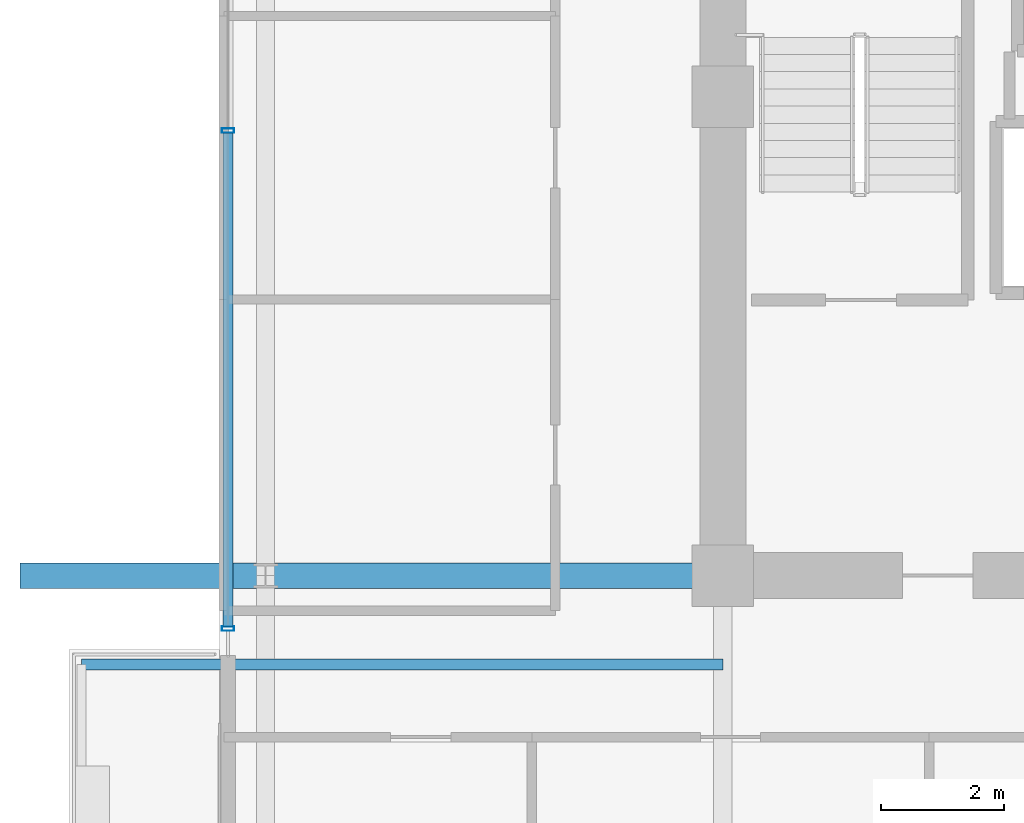
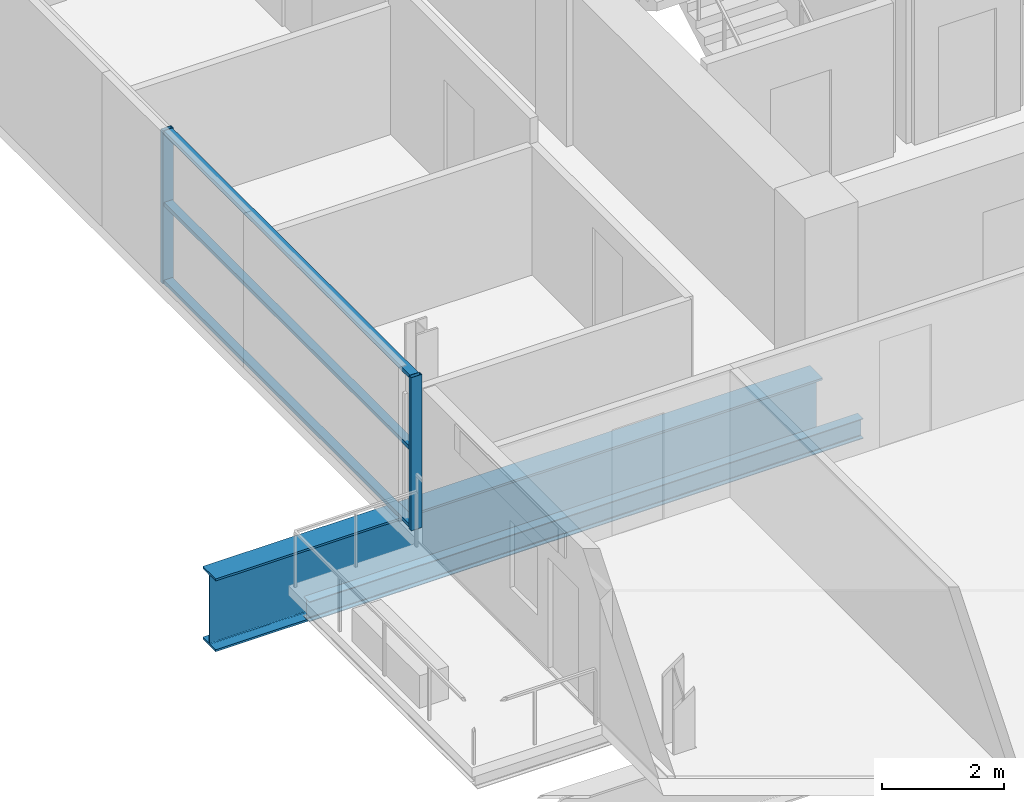
# One storey, part 5 of 23: 5 members, 2 beams, 1 element without a shape of its own.
"""IFC4 building model written with IfcOpenShell, lengths in metres."""

from ifc_helpers import new_model, si_unit, direction, frame, origin, origin_2d, place, context, subcontext, project, spatial, hollow_rectangle, i_section, extrude, source, transform, mapped, material, layer, layer_set, material_profile, profile_set, type_object, element, aggregate, save


model = new_model("IFC4")

# Units and contexts
model_context = context("Model", 3, precision=1e-05, world=origin(), true_north=direction((0.0, 1.0)))
body_context = subcontext(model_context, "Body", "Model", "MODEL_VIEW")
ifc_project = project(units=[si_unit("LENGTHUNIT", "METRE"), si_unit("AREAUNIT", "SQUARE_METRE"), si_unit("VOLUMEUNIT", "CUBIC_METRE"), si_unit("PLANEANGLEUNIT", "RADIAN"), si_unit("MASSUNIT", "GRAM", prefix="KILO")], contexts=[model_context])

# Site, building, storey
site_placement = place(None, origin())
site = spatial("IfcSite", under=ifc_project, at=site_placement, CompositionType="ELEMENT")
building_placement = place(site_placement, origin())
building = spatial("IfcBuilding", under=site, at=building_placement, Name="Zarnakvel Exchange Tower", CompositionType="ELEMENT")
storey_placement = place(building_placement, frame((0.0, 0.0, 172.60009765625)))
storey = spatial("IfcBuildingStorey", under=building, at=storey_placement, Name="L48", CompositionType="ELEMENT", Elevation=172.60009765625)

# Beams
ifc_material_1 = material(Name="Steel S355", Category="steel")
ifc_material_profile_1 = material_profile(ifc_material_1, i_section(OverallWidth=0.179931640625, OverallDepth=0.39990234375, WebThickness=0.008544921875, FlangeThickness=0.013427734375, FilletRadius=0.02099609375, at=origin_2d()))
ifc_profile_set_1 = profile_set([ifc_material_profile_1], Name="Steel S355")
beam_type_1 = type_object("IfcBeamType", Name="B-06", PredefinedType="JOIST", material=ifc_profile_set_1)
beam_1_placement = place(storey_placement, frame((-14.39990234375, -2.64990234375, -0.425048828125), z_axis=(-1.0, 0.0, 0.0), x_axis=(0.0, -1.0, 0.0)))
element("IfcBeam", 1, at=beam_1_placement, inside=storey, type_object=beam_type_1, Name="L48 Continuous West Loggia Beam N", PredefinedType="JOIST", context=body_context, shape_type="SweptSolid", body=[
    extrude(i_section(OverallWidth=0.179931640625, OverallDepth=0.39990234375, WebThickness=0.008544921875, FlangeThickness=0.013427734375, FilletRadius=0.02099609375, at=origin_2d()), origin(), (0.0, 0.0, 1.0), 10.4501953125),
])
ifc_material_2 = material(Name="Steel S460", Category="steel")
ifc_material_profile_2 = material_profile(ifc_material_2, i_section(OverallWidth=0.419921875, OverallDepth=1.449951171875, WebThickness=0.02392578125, FlangeThickness=0.0400390625, FilletRadius=0.030029296875, at=origin_2d()))
ifc_profile_set_2 = profile_set([ifc_material_profile_2], Name="Steel S460")
beam_type_2 = type_object("IfcBeamType", Name="TG-01", PredefinedType="BEAM", material=ifc_profile_set_2)
beam_2_placement = place(storey_placement, frame((-25.85009765625, -1.199951171875, -0.9501953125), z_axis=(1.0, 0.0, 0.0), x_axis=(0.0, 1.0, 0.0)))
element("IfcBeam", 2, at=beam_2_placement, inside=storey, type_object=beam_type_2, Name="L48 Setback E-W Transfer Girder TW-D", PredefinedType="BEAM", context=body_context, shape_type="SweptSolid", body=[
    extrude(i_section(OverallWidth=0.419921875, OverallDepth=1.449951171875, WebThickness=0.02392578125, FlangeThickness=0.0400390625, FilletRadius=0.030029296875, at=origin_2d()), origin(), (0.0, 0.0, 1.0), 11.4501953125),
])

# Curtain wall, members
ifc_material_3 = material(Name="Architectural Bronze Anodised Aluminium", Category="aluminium")
ifc_layer = layer(ifc_material_3, 0.199951171875)
ifc_layer_set = layer_set([ifc_layer], Name="Architectural Bronze Anodised Aluminium")
curtain_wall_type = type_object("IfcCurtainWallType", Name="CW-04", PredefinedType="NOTDEFINED", material=ifc_layer_set)
curtain_wall_placement = place(storey_placement, origin())
curtain_wall = element("IfcCurtainWall", 3, at=curtain_wall_placement, inside=storey, type_object=curtain_wall_type, Name="L48 Curtain Wall CW-L48-WN (CW-04)", PredefinedType="NOTDEFINED")
ifc_material_profile_3 = material_profile(ifc_material_3, hollow_rectangle(XDim=0.199951171875, YDim=0.074951171875, WallThickness=0.0048828125, at=origin_2d()))
ifc_profile_set_3 = profile_set([ifc_material_profile_3], Name="Architectural Bronze Anodised Aluminium")
member_type_1 = type_object("IfcMemberType", Name="CWM-04", PredefinedType="MULLION", material=ifc_profile_set_3)
shared_shape_1 = source(origin(), body_context, "Body", "SweptSolid", [
    extrude(hollow_rectangle(XDim=0.199951171875, YDim=0.074951171875, WallThickness=0.0048828125, at=origin_2d()), origin(), (0.0, 0.0, 1.0), 3.054931640625),
])
member_1_placement = place(storey_placement, frame((-22.4599609375, -2.0625, 0.0), z_axis=(0.0, 0.0, 1.0), x_axis=(-1.0, 0.0, 0.0)))
member_1 = element("IfcMember", 4, at=member_1_placement, type_object=member_type_1, Name="CW-04 mullion 1", PredefinedType="MULLION", context=body_context, shape_type="MappedRepresentation", body=[
    mapped(shared_shape_1, transform((0.0, 0.0, 0.0), x_axis=(1.0, 0.0, 0.0), y_axis=(0.0, 1.0, 0.0), z_axis=(0.0, 0.0, 1.0), scale=1.0)),
])
member_2_placement = place(storey_placement, frame((-22.4599609375, 6.050048828125, 0.0), z_axis=(0.0, 0.0, 1.0), x_axis=(-1.0, 0.0, 0.0)))
member_2 = element("IfcMember", 5, at=member_2_placement, type_object=member_type_1, Name="CW-04 mullion 2", PredefinedType="MULLION", context=body_context, shape_type="MappedRepresentation", body=[
    mapped(shared_shape_1, transform((0.0, 0.0, 0.0), x_axis=(1.0, 0.0, 0.0), y_axis=(0.0, 1.0, 0.0), z_axis=(0.0, 0.0, 1.0), scale=1.0)),
])
ifc_material_profile_4 = material_profile(ifc_material_3, hollow_rectangle(XDim=0.159912109375, YDim=0.074951171875, WallThickness=0.00390625, at=origin_2d()))
ifc_profile_set_4 = profile_set([ifc_material_profile_4], Name="Architectural Bronze Anodised Aluminium")
member_type_2 = type_object("IfcMemberType", Name="CWT-04", PredefinedType="USERDEFINED", material=ifc_profile_set_4)
shared_shape_2 = source(origin(), body_context, "Body", "SweptSolid", [
    extrude(hollow_rectangle(XDim=0.159912109375, YDim=0.074951171875, WallThickness=0.00390625, at=origin_2d()), origin(), (0.0, 0.0, 1.0), 8.037353515625),
])
member_3_placement = place(storey_placement, frame((-22.4599609375, -2.02490234375, 0.037353515625), z_axis=(0.0, 1.0, 0.0), x_axis=(-1.0, 0.0, 0.0)))
member_3 = element("IfcMember", 6, at=member_3_placement, type_object=member_type_2, Name="CW-04 transom 1.1", ObjectType="TRANSOM", PredefinedType="USERDEFINED", context=body_context, shape_type="MappedRepresentation", body=[
    mapped(shared_shape_2, transform((0.0, 0.0, 0.0), x_axis=(1.0, 0.0, 0.0), y_axis=(0.0, 1.0, 0.0), z_axis=(0.0, 0.0, 1.0), scale=1.0)),
])
member_4_placement = place(storey_placement, frame((-22.4599609375, -2.02490234375, 1.588623046875), z_axis=(0.0, 1.0, 0.0), x_axis=(-1.0, 0.0, 0.0)))
member_4 = element("IfcMember", 7, at=member_4_placement, type_object=member_type_2, Name="CW-04 transom 1.2", ObjectType="TRANSOM", PredefinedType="USERDEFINED", context=body_context, shape_type="MappedRepresentation", body=[
    mapped(shared_shape_2, transform((0.0, 0.0, 0.0), x_axis=(1.0, 0.0, 0.0), y_axis=(0.0, 1.0, 0.0), z_axis=(0.0, 0.0, 1.0), scale=1.0)),
])
member_5_placement = place(storey_placement, frame((-22.4599609375, -2.02490234375, 3.017333984375), z_axis=(0.0, 1.0, 0.0), x_axis=(-1.0, 0.0, 0.0)))
member_5 = element("IfcMember", 8, at=member_5_placement, type_object=member_type_2, Name="CW-04 transom 1.3", ObjectType="TRANSOM", PredefinedType="USERDEFINED", context=body_context, shape_type="MappedRepresentation", body=[
    mapped(shared_shape_2, transform((0.0, 0.0, 0.0), x_axis=(1.0, 0.0, 0.0), y_axis=(0.0, 1.0, 0.0), z_axis=(0.0, 0.0, 1.0), scale=1.0)),
])
aggregate(curtain_wall, [member_1, member_2, member_3, member_4, member_5])

save(model, "model.ifc")
